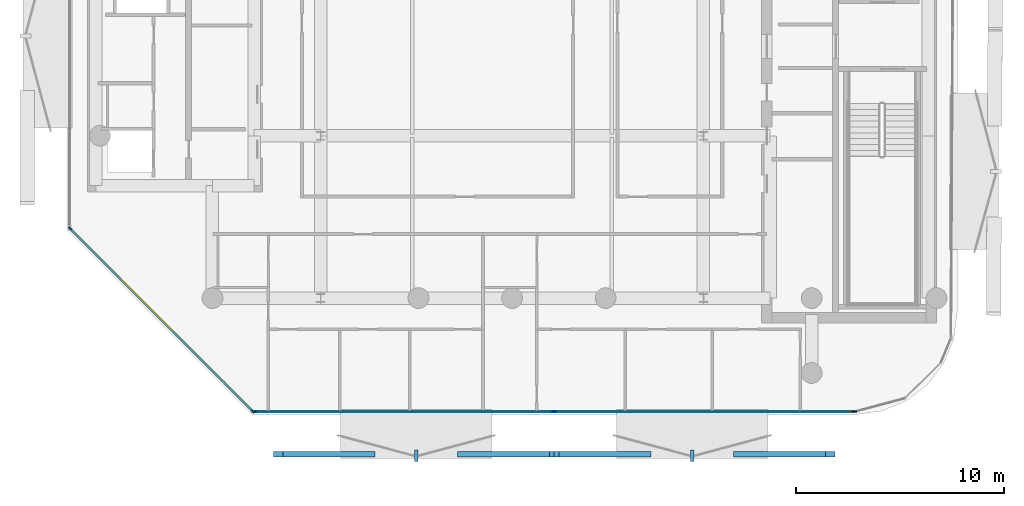
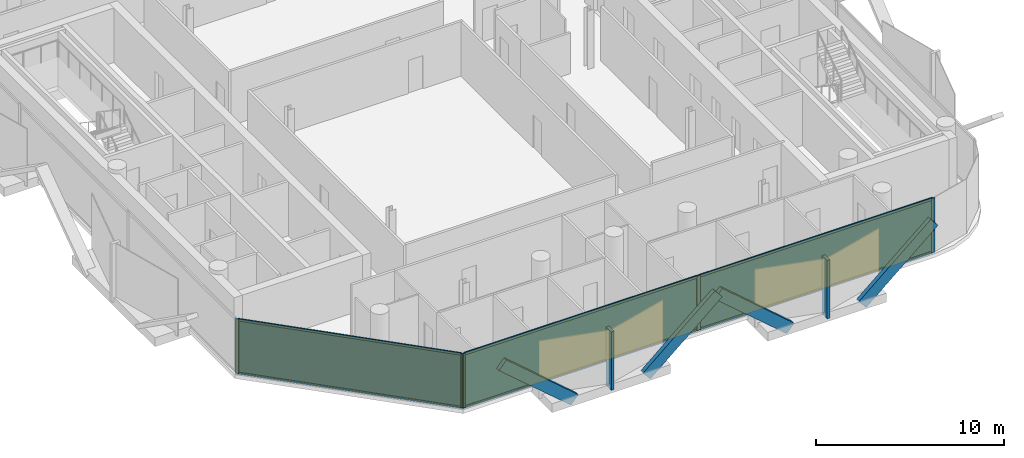
# One storey, part 9 of 17: 17 members, 3 plates, 2 curtain walls.
"""IFC4 building model written with IfcOpenShell, lengths in metres."""

from ifc_helpers import new_model, si_unit, direction, frame, frame_2d, origin, origin_2d, place, context, subcontext, project, spatial, rectangle, extrude, material, layer, layer_set, material_profile, profile_set, type_object, element, aggregate, save


model = new_model("IFC4")

# Units and contexts
model_context = context("Model", 3, precision=1e-05, world=origin(), true_north=direction((0.0, 1.0)))
body_context = subcontext(model_context, "Body", "Model", "MODEL_VIEW")
ifc_project = project(units=[si_unit("LENGTHUNIT", "METRE"), si_unit("AREAUNIT", "SQUARE_METRE"), si_unit("VOLUMEUNIT", "CUBIC_METRE"), si_unit("PLANEANGLEUNIT", "RADIAN"), si_unit("MASSUNIT", "GRAM", prefix="KILO")], contexts=[model_context])

# Member
ifc_material_1 = material(Name="Anodised Bronze Aluminium 6063-T6", Category="aluminium")
ifc_material_profile_1 = material_profile(ifc_material_1, rectangle(XDim=0.260009765625, YDim=0.699951171875, at=origin_2d()))
ifc_profile_set_1 = profile_set([ifc_material_profile_1], Name="Anodised Bronze Aluminium 6063-T6")
member_type_1 = type_object("IfcMemberType", Name="Bronze Diamond Solar-Screen Lattice Rib BDL-700", PredefinedType="MULLION", material=ifc_profile_set_1)
site_placement = place(None, origin())
building_placement = place(site_placement, origin())
storey_placement = place(building_placement, frame((0.0, 0.0, 308.0)))
member_1_placement = place(storey_placement, frame((6.446533203125, -26.10009765625, -0.1298828125), z_axis=(-0.758457968399, 0.0, 0.651721957719), x_axis=(0.0, 1.0, 0.0)))
member_1 = element("IfcMember", 1, at=member_1_placement, type_object=member_type_1, Name="L74 Bronze Diamond Solar Screen Lattice Rib 518A", PredefinedType="MULLION", context=body_context, shape_type="SweptSolid", body=[
    extrude(rectangle(XDim=0.260009765625, YDim=0.699951171875, at=origin_2d()), origin(), (0.0, 0.0, 1.0), 5.830322265625),
])

member_2_placement = place(storey_placement, frame((10.86865234375, -26.10009765625, -0.1298828125), z_axis=(0.758457968399, 0.0, 0.651721957719), x_axis=(0.0, -1.0, 0.0)))
member_2 = element("IfcMember", 2, at=member_2_placement, type_object=member_type_1, Name="L74 Bronze Diamond Solar Screen Lattice Rib 518B", PredefinedType="MULLION", context=body_context, shape_type="SweptSolid", body=[
    extrude(rectangle(XDim=0.260009765625, YDim=0.699951171875, at=origin_2d()), origin(), (0.0, 0.0, 1.0), 5.830322265625),
])

member_3_placement = place(storey_placement, frame((-6.81982421875, -26.10009765625, -0.1298828125), z_axis=(-0.758457968399, 0.0, 0.651721957719), x_axis=(0.0, 1.0, 0.0)))
member_3 = element("IfcMember", 3, at=member_3_placement, type_object=member_type_1, Name="L74 Bronze Diamond Solar Screen Lattice Rib 519A", PredefinedType="MULLION", context=body_context, shape_type="SweptSolid", body=[
    extrude(rectangle(XDim=0.260009765625, YDim=0.699951171875, at=origin_2d()), origin(), (0.0, 0.0, 1.0), 5.830322265625),
])

member_4_placement = place(storey_placement, frame((-2.397705078125, -26.10009765625, -0.1298828125), z_axis=(0.758457968399, 0.0, 0.651721957719), x_axis=(0.0, -1.0, 0.0)))
member_4 = element("IfcMember", 4, at=member_4_placement, type_object=member_type_1, Name="L74 Bronze Diamond Solar Screen Lattice Rib 519B", PredefinedType="MULLION", context=body_context, shape_type="SweptSolid", body=[
    extrude(rectangle(XDim=0.260009765625, YDim=0.699951171875, at=origin_2d()), origin(), (0.0, 0.0, 1.0), 5.830322265625),
])

ifc_material_2 = material(Name="Anodised Bronze Aluminium 6063-T6", Category="aluminium")
ifc_material_profile_2 = material_profile(ifc_material_2, rectangle(XDim=0.179931640625, YDim=0.5400390625, at=origin_2d()))
ifc_profile_set_2 = profile_set([ifc_material_profile_2], Name="Anodised Bronze Aluminium 6063-T6")
member_type_2 = type_object("IfcMemberType", Name="Bronze Solar-Screen Vertical Fold Fin BSF-540", PredefinedType="MULLION", material=ifc_profile_set_2)
member_5_placement = place(storey_placement, frame((8.65771484375, -26.179931640625, -0.1298828125), z_axis=(0.0, 0.0, 1.0), x_axis=(-1.0, 0.0, 0.0)))
member_5 = element("IfcMember", 5, at=member_5_placement, type_object=member_type_2, Name="L74 Bronze Solar Screen Vertical Fin 518", PredefinedType="MULLION", context=body_context, shape_type="SweptSolid", body=[
    extrude(rectangle(XDim=0.179931640625, YDim=0.5400390625, at=origin_2d()), origin(), (0.0, 0.0, 1.0), 3.7998046875),
])

member_6_placement = place(storey_placement, frame((-4.60888671875, -26.179931640625, -0.1298828125), z_axis=(0.0, 0.0, 1.0), x_axis=(-1.0, 0.0, 0.0)))
member_6 = element("IfcMember", 6, at=member_6_placement, type_object=member_type_2, Name="L74 Bronze Solar Screen Vertical Fin 519", PredefinedType="MULLION", context=body_context, shape_type="SweptSolid", body=[
    extrude(rectangle(XDim=0.179931640625, YDim=0.5400390625, at=origin_2d()), origin(), (0.0, 0.0, 1.0), 3.7998046875),
])

ifc_material_3 = material(Name="Anodised Bronze Aluminium 6063-T6", Category="aluminium")
ifc_material_profile_3 = material_profile(ifc_material_3, rectangle(XDim=0.074951171875, YDim=0.2099609375, at=origin_2d()))
ifc_profile_set_3 = profile_set([ifc_material_profile_3], Name="Anodised Bronze Aluminium 6063-T6")
member_type_3 = type_object("IfcMemberType", Name="CW-CRN Mullion 75x210", PredefinedType="MULLION", material=ifc_profile_set_3)
member_7_placement = place(storey_placement, frame((16.453369140625, -24.06005859375, 0.0), z_axis=(0.0, 0.0, 1.0), x_axis=(0.0, -1.0, 0.0)))
member_7 = element("IfcMember", 7, at=member_7_placement, type_object=member_type_3, Name="CW-CRN mullion 1", PredefinedType="MULLION", context=body_context, shape_type="SweptSolid", body=[
    extrude(rectangle(XDim=0.074951171875, YDim=0.2099609375, at=origin_2d()), origin(), (0.0, 0.0, 1.0), 3.5400390625),
])

member_8_placement = place(storey_placement, frame((2.0244140625, -24.06005859375, 0.0), z_axis=(0.0, 0.0, 1.0), x_axis=(0.0, -1.0, 0.0)))
member_8 = element("IfcMember", 8, at=member_8_placement, type_object=member_type_3, Name="CW-CRN mullion 2", PredefinedType="MULLION", context=body_context, shape_type="SweptSolid", body=[
    extrude(rectangle(XDim=0.074951171875, YDim=0.2099609375, at=origin_2d()), origin(), (0.0, 0.0, 1.0), 3.5400390625),
])

member_9_placement = place(storey_placement, frame((-12.404541015625, -24.06005859375, 0.0), z_axis=(0.0, 0.0, 1.0), x_axis=(0.0, -1.0, 0.0)))
member_9 = element("IfcMember", 9, at=member_9_placement, type_object=member_type_3, Name="CW-CRN mullion 3", PredefinedType="MULLION", context=body_context, shape_type="SweptSolid", body=[
    extrude(rectangle(XDim=0.074951171875, YDim=0.2099609375, at=origin_2d()), origin(), (0.0, 0.0, 1.0), 3.5400390625),
])

ifc_material_4 = material(Name="Anodised Bronze Aluminium 6063-T6", Category="aluminium")
ifc_material_profile_4 = material_profile(ifc_material_4, rectangle(XDim=0.074951171875, YDim=0.1650390625, at=origin_2d()))
ifc_profile_set_4 = profile_set([ifc_material_profile_4], Name="Anodised Bronze Aluminium 6063-T6")
member_type_4 = type_object("IfcMemberType", Name="CW-CRN Transom 75x165", PredefinedType="USERDEFINED", material=ifc_profile_set_4)
member_10_placement = place(storey_placement, frame((16.415771484375, -24.06005859375, 0.03759765625), z_axis=(-1.0, 0.0, 0.0), x_axis=(0.0, -1.0, 0.0)))
member_10 = element("IfcMember", 10, at=member_10_placement, type_object=member_type_4, Name="CW-CRN transom 1.1", ObjectType="TRANSOM", PredefinedType="USERDEFINED", context=body_context, shape_type="SweptSolid", body=[
    extrude(rectangle(XDim=0.074951171875, YDim=0.1650390625, at=origin_2d()), origin(), (0.0, 0.0, 1.0), 14.353759765625),
])

member_11_placement = place(storey_placement, frame((16.415771484375, -24.06005859375, 3.50244140625), z_axis=(-1.0, 0.0, 0.0), x_axis=(0.0, -1.0, 0.0)))
member_11 = element("IfcMember", 11, at=member_11_placement, type_object=member_type_4, Name="CW-CRN transom 1.2", ObjectType="TRANSOM", PredefinedType="USERDEFINED", context=body_context, shape_type="SweptSolid", body=[
    extrude(rectangle(XDim=0.074951171875, YDim=0.1650390625, at=origin_2d()), origin(), (0.0, 0.0, 1.0), 14.353759765625),
])

member_12_placement = place(storey_placement, frame((1.98681640625, -24.06005859375, 0.03759765625), z_axis=(-1.0, 0.0, 0.0), x_axis=(0.0, -1.0, 0.0)))
member_12 = element("IfcMember", 12, at=member_12_placement, type_object=member_type_4, Name="CW-CRN transom 2.1", ObjectType="TRANSOM", PredefinedType="USERDEFINED", context=body_context, shape_type="SweptSolid", body=[
    extrude(rectangle(XDim=0.074951171875, YDim=0.1650390625, at=origin_2d()), origin(), (0.0, 0.0, 1.0), 14.353759765625),
])

member_13_placement = place(storey_placement, frame((1.98681640625, -24.06005859375, 3.50244140625), z_axis=(-1.0, 0.0, 0.0), x_axis=(0.0, -1.0, 0.0)))
member_13 = element("IfcMember", 13, at=member_13_placement, type_object=member_type_4, Name="CW-CRN transom 2.2", ObjectType="TRANSOM", PredefinedType="USERDEFINED", context=body_context, shape_type="SweptSolid", body=[
    extrude(rectangle(XDim=0.074951171875, YDim=0.1650390625, at=origin_2d()), origin(), (0.0, 0.0, 1.0), 14.353759765625),
])

ifc_material_5 = material(Name="Anodised Bronze Aluminium 6063-T6", Category="aluminium")
ifc_material_profile_5 = material_profile(ifc_material_5, rectangle(XDim=0.070068359375, YDim=0.18994140625, at=origin_2d()))
ifc_profile_set_5 = profile_set([ifc_material_profile_5], Name="Anodised Bronze Aluminium 6063-T6")
member_type_5 = type_object("IfcMemberType", Name="CW-SLC Mullion 70x190", PredefinedType="MULLION", material=ifc_profile_set_5)
member_14_placement = place(storey_placement, frame((-12.466796875, -24.03515625, 0.0), z_axis=(0.0, 0.0, 1.0), x_axis=(-0.707106781187, -0.707106781187, 0.0)))
member_14 = element("IfcMember", 14, at=member_14_placement, type_object=member_type_5, Name="CW-SLC mullion 1", PredefinedType="MULLION", context=body_context, shape_type="SweptSolid", body=[
    extrude(rectangle(XDim=0.070068359375, YDim=0.18994140625, at=origin_2d()), origin(), (0.0, 0.0, 1.0), 3.5400390625),
])

member_15_placement = place(storey_placement, frame((-21.2353515625, -15.266845703125, 0.0), z_axis=(0.0, 0.0, 1.0), x_axis=(-0.707106781187, -0.707106781187, 0.0)))
member_15 = element("IfcMember", 15, at=member_15_placement, type_object=member_type_5, Name="CW-SLC mullion 2", PredefinedType="MULLION", context=body_context, shape_type="SweptSolid", body=[
    extrude(rectangle(XDim=0.070068359375, YDim=0.18994140625, at=origin_2d()), origin(), (0.0, 0.0, 1.0), 3.5400390625),
])

ifc_material_6 = material(Name="Anodised Bronze Aluminium 6063-T6", Category="aluminium")
ifc_material_profile_6 = material_profile(ifc_material_6, rectangle(XDim=0.070068359375, YDim=0.14990234375, at=origin_2d()))
ifc_profile_set_6 = profile_set([ifc_material_profile_6], Name="Anodised Bronze Aluminium 6063-T6")
member_type_6 = type_object("IfcMemberType", Name="CW-SLC Transom 70x150", PredefinedType="USERDEFINED", material=ifc_profile_set_6)
member_16_placement = place(storey_placement, frame((-12.491455078125, -24.010498046875, 0.034912109375), z_axis=(-0.707106781187, 0.707106781187, 0.0), x_axis=(-0.707106781187, -0.707106781187, 0.0)))
member_16 = element("IfcMember", 16, at=member_16_placement, type_object=member_type_6, Name="CW-SLC transom 1.1", ObjectType="TRANSOM", PredefinedType="USERDEFINED", context=body_context, shape_type="SweptSolid", body=[
    extrude(rectangle(XDim=0.070068359375, YDim=0.14990234375, at=origin_2d()), origin(), (0.0, 0.0, 1.0), 12.33056640625),
])

member_17_placement = place(storey_placement, frame((-12.491455078125, -24.010498046875, 3.5048828125), z_axis=(-0.707106781187, 0.707106781187, 0.0), x_axis=(-0.707106781187, -0.707106781187, 0.0)))
member_17 = element("IfcMember", 17, at=member_17_placement, type_object=member_type_6, Name="CW-SLC transom 1.2", ObjectType="TRANSOM", PredefinedType="USERDEFINED", context=body_context, shape_type="SweptSolid", body=[
    extrude(rectangle(XDim=0.070068359375, YDim=0.14990234375, at=origin_2d()), origin(), (0.0, 0.0, 1.0), 12.33056640625),
])

# Plate
ifc_material_7 = material(Name="Low-E Solar Control Laminated Glass", Category="glass")
ifc_layer_1 = layer(ifc_material_7, 0.035888671875, Name="Low-E Solar Control Laminated Glass")
ifc_layer_set_1 = layer_set([ifc_layer_1], Name="Low-E Solar Control Laminated Glass")
plate_type_1 = type_object("IfcPlateType", Name="CW-CRN Low-E Double Glazed Panel 36mm", PredefinedType="CURTAIN_PANEL", material=ifc_layer_set_1)
plate_1_placement = place(storey_placement, frame((9.23876953125, -24.06005859375, 0.0751953125), z_axis=(0.0, 0.0, 1.0), x_axis=(-1.0, 0.0, 0.0)))
plate_1 = element("IfcPlate", 18, at=plate_1_placement, type_object=plate_type_1, Name="CW-CRN panel 1.1", PredefinedType="CURTAIN_PANEL", context=body_context, shape_type="SweptSolid", body=[
    extrude(rectangle(XDim=14.35400390625, YDim=0.035888671875, at=origin_2d()), origin(), (0.0, 0.0, 1.0), 3.389892578125),
])

plate_2_placement = place(storey_placement, frame((-5.18994140625, -24.06005859375, 0.0751953125), z_axis=(0.0, 0.0, 1.0), x_axis=(-1.0, 0.0, 0.0)))
plate_2 = element("IfcPlate", 19, at=plate_2_placement, type_object=plate_type_1, Name="CW-CRN panel 2.1", PredefinedType="CURTAIN_PANEL", context=body_context, shape_type="SweptSolid", body=[
    extrude(rectangle(XDim=14.35400390625, YDim=0.035888671875, at=origin_2d()), origin(), (0.0, 0.0, 1.0), 3.389892578125),
])

ifc_material_8 = material(Name="Low-E Solar Control Laminated Glass", Category="glass")
ifc_layer_2 = layer(ifc_material_8, 0.033935546875, Name="Low-E Solar Control Laminated Glass")
ifc_layer_set_2 = layer_set([ifc_layer_2], Name="Low-E Solar Control Laminated Glass")
plate_type_2 = type_object("IfcPlateType", Name="CW-SLC Low-E Double Glazed Panel 34mm", PredefinedType="CURTAIN_PANEL", material=ifc_layer_set_2)
plate_3_placement = place(storey_placement, frame((-16.85107421875, -19.65087890625, 0.070068359375), z_axis=(0.0, 0.0, 1.0), x_axis=(-0.707106781187, 0.707106781187, 0.0)))
plate_3 = element("IfcPlate", 20, at=plate_3_placement, type_object=plate_type_2, Name="CW-SLC panel 1.1", PredefinedType="CURTAIN_PANEL", context=body_context, shape_type="SweptSolid", body=[
    extrude(rectangle(XDim=12.33056640625, YDim=0.033935546875, at=origin_2d()), origin(), (0.0, 0.0, 1.0), 3.39990234375),
])

# Site, building, storey
site = spatial("IfcSite", under=ifc_project, at=site_placement, CompositionType="ELEMENT")
building = spatial("IfcBuilding", under=site, at=building_placement, Name="Khairoan Windgate Tower", CompositionType="ELEMENT")
storey = spatial("IfcBuildingStorey", under=building, at=storey_placement, Name="L74", CompositionType="ELEMENT", Elevation=308.0)

# Curtain wall
ifc_material_9 = material(Name="Anodised Bronze Aluminium 6063-T6", Category="aluminium")
ifc_layer_3 = layer(ifc_material_9, 0.2099609375, Name="Anodised Bronze Aluminium 6063-T6")
ifc_layer_set_3 = layer_set([ifc_layer_3], Name="Anodised Bronze Aluminium 6063-T6")
curtain_wall_type_1 = type_object("IfcCurtainWallType", Name="Crown Observation and Vitrine Curtain Wall CW-CRN", PredefinedType="NOTDEFINED", material=ifc_layer_set_3)
curtain_wall_1_placement = place(storey_placement, frame((16.49072265625, -24.06005859375, 0.0), z_axis=(0.0, 0.0, 1.0), x_axis=(-1.0, 0.0, 0.0)))
curtain_wall_1 = element("IfcCurtainWall", 21, at=curtain_wall_1_placement, inside=storey, type_object=curtain_wall_type_1, Name="L74 Unitised Curtain Wall 1", PredefinedType="NOTDEFINED", context=body_context, shape_type="SweptSolid", body=[
    extrude(rectangle(XDim=28.9326171875, YDim=0.010009765625, at=frame_2d((14.46630859375, 0.0))), origin(), (0.0, 0.0, 1.0), 3.5400390625),
])

aggregate(curtain_wall_1, [member_7, member_8, member_9, member_10, member_11, plate_1, member_12, member_13, plate_2, member_1, member_2, member_5, member_3, member_4, member_6])

ifc_material_10 = material(Name="Anodised Bronze Aluminium 6063-T6", Category="aluminium")
ifc_layer_4 = layer(ifc_material_10, 0.18994140625, Name="Anodised Bronze Aluminium 6063-T6")
ifc_layer_set_4 = layer_set([ifc_layer_4], Name="Anodised Bronze Aluminium 6063-T6")
curtain_wall_type_2 = type_object("IfcCurtainWallType", Name="Diagonal Corner-Slice Facet Curtain Wall CW-SLC", PredefinedType="NOTDEFINED", material=ifc_layer_set_4)
curtain_wall_2_placement = place(storey_placement, frame((-12.44189453125, -24.06005859375, 0.0), z_axis=(0.0, 0.0, 1.0), x_axis=(-0.707106781187, 0.707106781187, 0.0)))
curtain_wall_2 = element("IfcCurtainWall", 22, at=curtain_wall_2_placement, inside=storey, type_object=curtain_wall_type_2, Name="L74 Crystal Slice Curtain Wall 2", PredefinedType="NOTDEFINED", context=body_context, shape_type="SweptSolid", body=[
    extrude(rectangle(XDim=12.470703125, YDim=0.010009765625, at=frame_2d((6.2353515625, 0.0))), origin(), (0.0, 0.0, 1.0), 3.5400390625),
])

aggregate(curtain_wall_2, [member_14, member_15, member_16, member_17, plate_3])

save(model, "model.ifc")
